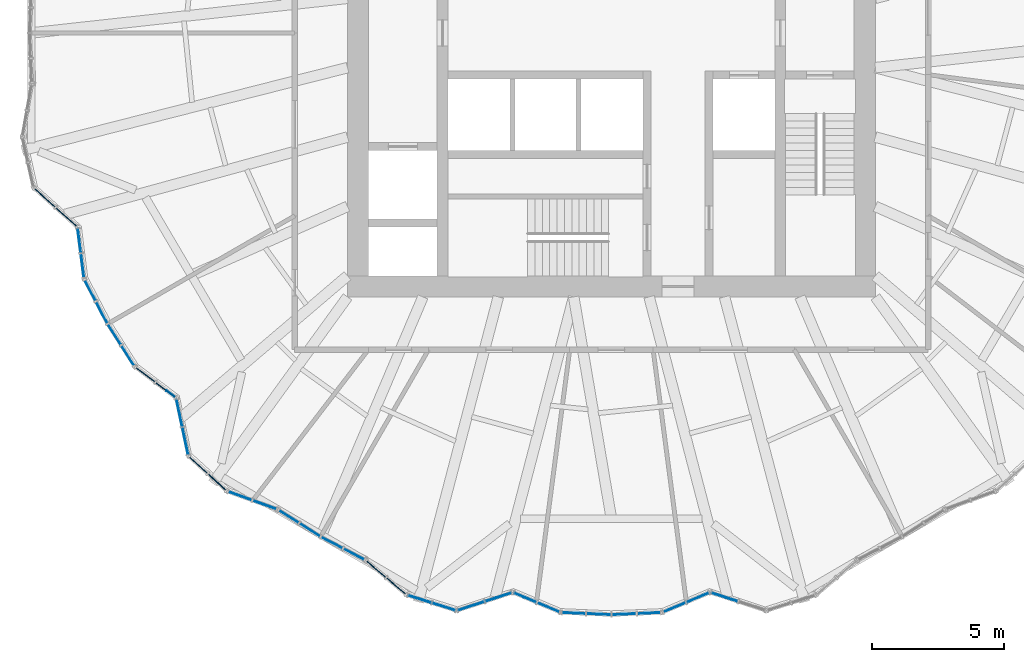
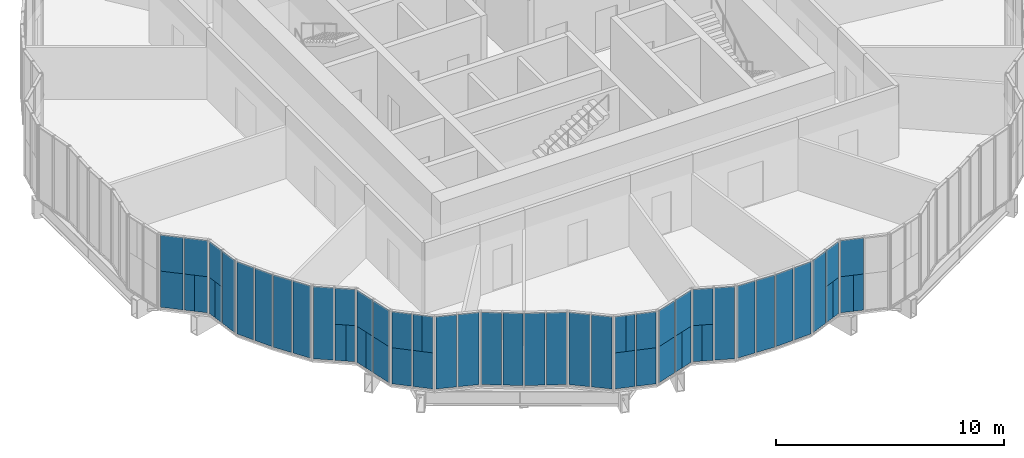
# One storey, part 13 of 23: 60 plates, 18 elements without a shape of their own.
"""IFC4 building model written with IfcOpenShell, lengths in metres."""

from ifc_helpers import new_model, si_unit, direction, frame, origin, origin_2d, place, context, subcontext, project, spatial, rectangle, extrude, material, layer, layer_set, type_object, element, aggregate, save


model = new_model("IFC4")

# Units and contexts
model_context = context("Model", 3, precision=1e-05, world=origin(), true_north=direction((0.0, 1.0)))
body_context = subcontext(model_context, "Body", "Model", "MODEL_VIEW")
ifc_project = project(units=[si_unit("LENGTHUNIT", "METRE"), si_unit("AREAUNIT", "SQUARE_METRE"), si_unit("VOLUMEUNIT", "CUBIC_METRE"), si_unit("PLANEANGLEUNIT", "RADIAN"), si_unit("MASSUNIT", "GRAM", prefix="KILO")], contexts=[model_context])

# Site, building, storey
site_placement = place(None, origin())
site = spatial("IfcSite", under=ifc_project, at=site_placement, CompositionType="ELEMENT")
building_placement = place(site_placement, origin())
building = spatial("IfcBuilding", under=site, at=building_placement, Name="Golbaran Civic Tower", CompositionType="ELEMENT")
storey_placement = place(building_placement, frame((0.0, 0.0, 33.0)))
storey = spatial("IfcBuildingStorey", under=building, at=storey_placement, Name="L07", CompositionType="ELEMENT", Elevation=33.0)

# Curtain wall, plates
ifc_material_1 = material(Name="Aluminium and glass", Category="aluminium")
curtain_wall_type = type_object("IfcCurtainWallType", Name="INNER SKIN CURTAIN WALL", PredefinedType="NOTDEFINED", material=ifc_material_1)
curtain_wall_1_placement = place(storey_placement, origin())
curtain_wall_1 = element("IfcCurtainWall", 1, at=curtain_wall_1_placement, inside=storey, type_object=curtain_wall_type, Name="Inner skin L07 facet 40 CW1", ObjectType="INNER SKIN", PredefinedType="USERDEFINED")
ifc_material_2 = material(Name="Clear insulating glass", Category="glass")
ifc_layer_1 = layer(ifc_material_2, 0.031982421875, Name="Clear insulating glass")
ifc_layer_set_1 = layer_set([ifc_layer_1], Name="Clear insulating glass")
plate_type_1 = type_object("IfcPlateType", Name="INNER SKIN CURTAIN WALL GLAZED PANEL", PredefinedType="CURTAIN_PANEL", material=ifc_layer_set_1)
plate_1_placement = place(storey_placement, frame((-20.491455078125, -7.12548828125, 0.06494140625), z_axis=(0.0, 0.0, 1.0), x_axis=(0.743783765174, -0.668420309882, 0.0)))
plate_1 = element("IfcPlate", 2, at=plate_1_placement, type_object=plate_type_1, Name="CW1 panel 2.1 part 2", PredefinedType="CURTAIN_PANEL", context=body_context, shape_type="SweptSolid", body=[
    extrude(rectangle(XDim=0.57861328125, YDim=0.031982421875, at=origin_2d()), origin(), (0.0, 0.0, 1.0), 1.93505859375),
])
plate_2_placement = place(storey_placement, frame((-20.65625, -6.977294921875, 2.0), z_axis=(0.0, 0.0, 1.0), x_axis=(0.743783765174, -0.668420309882, 0.0)))
plate_2 = element("IfcPlate", 3, at=plate_2_placement, type_object=plate_type_1, Name="CW1 panel 2.1 part 3", PredefinedType="CURTAIN_PANEL", context=body_context, shape_type="SweptSolid", body=[
    extrude(rectangle(XDim=1.021728515625, YDim=0.031982421875, at=origin_2d()), origin(), (0.0, 0.0, 1.0), 1.93505859375),
])

curtain_wall_2_placement = place(storey_placement, origin())
curtain_wall_2 = element("IfcCurtainWall", 4, at=curtain_wall_2_placement, inside=storey, type_object=curtain_wall_type, Name="Inner skin L07 facet 41 CW1", ObjectType="INNER SKIN", PredefinedType="USERDEFINED")
plate_3_placement = place(storey_placement, frame((-20.138427734375, -8.06591796875, 0.06494140625), z_axis=(0.0, 0.0, 1.0), x_axis=(0.126024428889, -0.992027138401, 0.0)))
plate_3 = element("IfcPlate", 5, at=plate_3_placement, type_object=plate_type_1, Name="CW1 panel 1.1 part 2", PredefinedType="CURTAIN_PANEL", context=body_context, shape_type="SweptSolid", body=[
    extrude(rectangle(XDim=0.486572265625, YDim=0.031982421875, at=origin_2d()), origin(), (0.0, 0.0, 1.0), 1.93505859375),
])
plate_4_placement = place(storey_placement, frame((-20.163818359375, -7.866943359375, 2.0), z_axis=(0.0, 0.0, 1.0), x_axis=(0.126024428889, -0.992027138401, 0.0)))
plate_4 = element("IfcPlate", 6, at=plate_4_placement, type_object=plate_type_1, Name="CW1 panel 1.1 part 3", PredefinedType="CURTAIN_PANEL", context=body_context, shape_type="SweptSolid", body=[
    extrude(rectangle(XDim=0.887451171875, YDim=0.031982421875, at=origin_2d()), origin(), (0.0, 0.0, 1.0), 1.93505859375),
])
plate_5_placement = place(storey_placement, frame((-20.043701171875, -8.81201171875, 0.06494140625), z_axis=(0.0, 0.0, 1.0), x_axis=(0.126024428889, -0.992027138401, 0.0)))
plate_5 = element("IfcPlate", 7, at=plate_5_placement, type_object=plate_type_1, Name="CW1 panel 2.1", PredefinedType="CURTAIN_PANEL", context=body_context, shape_type="SweptSolid", body=[
    extrude(rectangle(XDim=0.887451171875, YDim=0.031982421875, at=origin_2d()), origin(), (0.0, 0.0, 1.0), 3.8701171875),
])

curtain_wall_3_placement = place(storey_placement, origin())
curtain_wall_3 = element("IfcCurtainWall", 8, at=curtain_wall_3_placement, inside=storey, type_object=curtain_wall_type, Name="Inner skin L07 facet 42 CW1", ObjectType="INNER SKIN", PredefinedType="USERDEFINED")
plate_6_placement = place(storey_placement, frame((-19.75, -9.757568359375, 0.06494140625), z_axis=(0.0, 0.0, 1.0), x_axis=(0.461748613297, -0.887010833146, 0.0)))
plate_6 = element("IfcPlate", 9, at=plate_6_placement, type_object=plate_type_1, Name="CW1 panel 1.1", PredefinedType="CURTAIN_PANEL", context=body_context, shape_type="SweptSolid", body=[
    extrude(rectangle(XDim=0.864013671875, YDim=0.031982421875, at=origin_2d()), origin(), (0.0, 0.0, 1.0), 3.8701171875),
])
plate_7_placement = place(storey_placement, frame((-19.3134765625, -10.595947265625, 0.06494140625), z_axis=(0.0, 0.0, 1.0), x_axis=(0.461748613297, -0.887010833146, 0.0)))
plate_7 = element("IfcPlate", 10, at=plate_7_placement, type_object=plate_type_1, Name="CW1 panel 2.1", PredefinedType="CURTAIN_PANEL", context=body_context, shape_type="SweptSolid", body=[
    extrude(rectangle(XDim=0.896484375, YDim=0.031982421875, at=origin_2d()), origin(), (0.0, 0.0, 1.0), 3.8701171875),
])
aggregate(curtain_wall_3, [plate_6, plate_7])

curtain_wall_4_placement = place(storey_placement, origin())
curtain_wall_4 = element("IfcCurtainWall", 11, at=curtain_wall_4_placement, inside=storey, type_object=curtain_wall_type, Name="Inner skin L07 facet 43 CW1", ObjectType="INNER SKIN", PredefinedType="USERDEFINED")
plate_8_placement = place(storey_placement, frame((-18.833251953125, -11.427978515625, 0.06494140625), z_axis=(0.0, 0.0, 1.0), x_axis=(0.537299608406, -0.843391445775, 0.0)))
plate_8 = element("IfcPlate", 12, at=plate_8_placement, type_object=plate_type_1, Name="CW1 panel 1.1", PredefinedType="CURTAIN_PANEL", context=body_context, shape_type="SweptSolid", body=[
    extrude(rectangle(XDim=0.896484375, YDim=0.031982421875, at=origin_2d()), origin(), (0.0, 0.0, 1.0), 3.8701171875),
])
plate_9_placement = place(storey_placement, frame((-18.3251953125, -12.225341796875, 0.06494140625), z_axis=(0.0, 0.0, 1.0), x_axis=(0.537299608406, -0.843391445775, 0.0)))
plate_9 = element("IfcPlate", 13, at=plate_9_placement, type_object=plate_type_1, Name="CW1 panel 2.1", PredefinedType="CURTAIN_PANEL", context=body_context, shape_type="SweptSolid", body=[
    extrude(rectangle(XDim=0.864013671875, YDim=0.031982421875, at=origin_2d()), origin(), (0.0, 0.0, 1.0), 3.8701171875),
])
aggregate(curtain_wall_4, [plate_8, plate_9])

curtain_wall_5_placement = place(storey_placement, origin())
curtain_wall_5 = element("IfcCurtainWall", 14, at=curtain_wall_5_placement, inside=storey, type_object=curtain_wall_type, Name="Inner skin L07 facet 44 CW1", ObjectType="INNER SKIN", PredefinedType="USERDEFINED")
plate_10_placement = place(storey_placement, frame((-17.653076171875, -12.952392578125, 0.06494140625), z_axis=(0.0, 0.0, 1.0), x_axis=(0.796108488496, -0.605153926324, 0.0)))
plate_10 = element("IfcPlate", 15, at=plate_10_placement, type_object=plate_type_1, Name="CW1 panel 1.1", PredefinedType="CURTAIN_PANEL", context=body_context, shape_type="SweptSolid", body=[
    extrude(rectangle(XDim=0.887451171875, YDim=0.031982421875, at=origin_2d()), origin(), (0.0, 0.0, 1.0), 3.8701171875),
])
plate_11_placement = place(storey_placement, frame((-17.0546875, -13.4072265625, 0.06494140625), z_axis=(0.0, 0.0, 1.0), x_axis=(0.796108488496, -0.605153926324, 0.0)))
plate_11 = element("IfcPlate", 16, at=plate_11_placement, type_object=plate_type_1, Name="CW1 panel 2.1 part 1", PredefinedType="CURTAIN_PANEL", context=body_context, shape_type="SweptSolid", body=[
    extrude(rectangle(XDim=0.486083984375, YDim=0.031982421875, at=origin_2d()), origin(), (0.0, 0.0, 1.0), 1.93505859375),
])
plate_12_placement = place(storey_placement, frame((-16.894775390625, -13.52880859375, 2.0), z_axis=(0.0, 0.0, 1.0), x_axis=(0.796108488496, -0.605153926324, 0.0)))
plate_12 = element("IfcPlate", 17, at=plate_12_placement, type_object=plate_type_1, Name="CW1 panel 2.1 part 3", PredefinedType="CURTAIN_PANEL", context=body_context, shape_type="SweptSolid", body=[
    extrude(rectangle(XDim=0.887451171875, YDim=0.031982421875, at=origin_2d()), origin(), (0.0, 0.0, 1.0), 1.93505859375),
])

curtain_wall_6_placement = place(storey_placement, origin())
curtain_wall_6 = element("IfcCurtainWall", 18, at=curtain_wall_6_placement, inside=storey, type_object=curtain_wall_type, Name="Inner skin L07 facet 45 CW1", ObjectType="INNER SKIN", PredefinedType="USERDEFINED")
plate_13_placement = place(storey_placement, frame((-16.41650390625, -14.183349609375, 0.06494140625), z_axis=(0.0, 0.0, 1.0), x_axis=(0.206977086194, -0.978345790501, 0.0)))
plate_13 = element("IfcPlate", 19, at=plate_13_placement, type_object=plate_type_1, Name="CW1 panel 1.1 part 1", PredefinedType="CURTAIN_PANEL", context=body_context, shape_type="SweptSolid", body=[
    extrude(rectangle(XDim=0.5791015625, YDim=0.031982421875, at=origin_2d()), origin(), (0.0, 0.0, 1.0), 1.93505859375),
])
plate_14_placement = place(storey_placement, frame((-16.37060546875, -14.400146484375, 2.0), z_axis=(0.0, 0.0, 1.0), x_axis=(0.206977086194, -0.978345790501, 0.0)))
plate_14 = element("IfcPlate", 20, at=plate_14_placement, type_object=plate_type_1, Name="CW1 panel 1.1 part 3", PredefinedType="CURTAIN_PANEL", context=body_context, shape_type="SweptSolid", body=[
    extrude(rectangle(XDim=1.021728515625, YDim=0.031982421875, at=origin_2d()), origin(), (0.0, 0.0, 1.0), 1.93505859375),
])

# Curtain wall, plate
curtain_wall_7_placement = place(storey_placement, origin())
curtain_wall_7 = element("IfcCurtainWall", 21, at=curtain_wall_7_placement, inside=storey, type_object=curtain_wall_type, Name="Inner skin L07 facet 46 CW1", ObjectType="INNER SKIN", PredefinedType="USERDEFINED")
plate_15_placement = place(storey_placement, frame((-14.7978515625, -17.152587890625, 2.0), z_axis=(0.0, 0.0, 1.0), x_axis=(0.737277336975, -0.675590207436, 0.0)))
plate_15 = element("IfcPlate", 22, at=plate_15_placement, type_object=plate_type_1, Name="CW1 panel 2.1 part 3", PredefinedType="CURTAIN_PANEL", context=body_context, shape_type="SweptSolid", body=[
    extrude(rectangle(XDim=0.4912109375, YDim=0.031982421875, at=origin_2d()), origin(), (0.0, 0.0, 1.0), 1.93505859375),
])

# Curtain wall, plates
curtain_wall_8_placement = place(storey_placement, origin())
curtain_wall_8 = element("IfcCurtainWall", 23, at=curtain_wall_8_placement, inside=storey, type_object=curtain_wall_type, Name="Inner skin L07 facet 47 CW1", ObjectType="INNER SKIN", PredefinedType="USERDEFINED")
plate_16_placement = place(storey_placement, frame((-14.072509765625, -17.5419921875, 0.06494140625), z_axis=(0.0, 0.0, 1.0), x_axis=(0.940409013239, -0.340045420228, 0.0)))
plate_16 = element("IfcPlate", 24, at=plate_16_placement, type_object=plate_type_1, Name="CW1 panel 1.1", PredefinedType="CURTAIN_PANEL", context=body_context, shape_type="SweptSolid", body=[
    extrude(rectangle(XDim=0.925537109375, YDim=0.031982421875, at=origin_2d()), origin(), (0.0, 0.0, 1.0), 3.8701171875),
])
plate_17_placement = place(storey_placement, frame((-13.140869140625, -17.878662109375, 0.06494140625), z_axis=(0.0, 0.0, 1.0), x_axis=(0.940409013239, -0.340045420228, 0.0)))
plate_17 = element("IfcPlate", 25, at=plate_17_placement, type_object=plate_type_1, Name="CW1 panel 2.1", PredefinedType="CURTAIN_PANEL", context=body_context, shape_type="SweptSolid", body=[
    extrude(rectangle(XDim=0.925537109375, YDim=0.031982421875, at=origin_2d()), origin(), (0.0, 0.0, 1.0), 3.8701171875),
])
aggregate(curtain_wall_8, [plate_16, plate_17])

curtain_wall_9_placement = place(storey_placement, origin())
curtain_wall_9 = element("IfcCurtainWall", 26, at=curtain_wall_9_placement, inside=storey, type_object=curtain_wall_type, Name="Inner skin L07 facet 48 CW1", ObjectType="INNER SKIN", PredefinedType="USERDEFINED")
plate_18_placement = place(storey_placement, frame((-12.225341796875, -18.3251953125, 0.06494140625), z_axis=(0.0, 0.0, 1.0), x_axis=(0.843391445775, -0.537299608406, 0.0)))
plate_18 = element("IfcPlate", 27, at=plate_18_placement, type_object=plate_type_1, Name="CW1 panel 1.1", PredefinedType="CURTAIN_PANEL", context=body_context, shape_type="SweptSolid", body=[
    extrude(rectangle(XDim=0.864013671875, YDim=0.031982421875, at=origin_2d()), origin(), (0.0, 0.0, 1.0), 3.8701171875),
])
plate_19_placement = place(storey_placement, frame((-11.427978515625, -18.833251953125, 0.06494140625), z_axis=(0.0, 0.0, 1.0), x_axis=(0.843391445775, -0.537299608406, 0.0)))
plate_19 = element("IfcPlate", 28, at=plate_19_placement, type_object=plate_type_1, Name="CW1 panel 2.1", PredefinedType="CURTAIN_PANEL", context=body_context, shape_type="SweptSolid", body=[
    extrude(rectangle(XDim=0.896484375, YDim=0.031982421875, at=origin_2d()), origin(), (0.0, 0.0, 1.0), 3.8701171875),
])
aggregate(curtain_wall_9, [plate_18, plate_19])

curtain_wall_10_placement = place(storey_placement, origin())
curtain_wall_10 = element("IfcCurtainWall", 29, at=curtain_wall_10_placement, inside=storey, type_object=curtain_wall_type, Name="Inner skin L07 facet 49 CW1", ObjectType="INNER SKIN", PredefinedType="USERDEFINED")
plate_20_placement = place(storey_placement, frame((-10.595947265625, -19.3134765625, 0.06494140625), z_axis=(0.0, 0.0, 1.0), x_axis=(0.887010833146, -0.461748613297, 0.0)))
plate_20 = element("IfcPlate", 30, at=plate_20_placement, type_object=plate_type_1, Name="CW1 panel 1.1", PredefinedType="CURTAIN_PANEL", context=body_context, shape_type="SweptSolid", body=[
    extrude(rectangle(XDim=0.896484375, YDim=0.031982421875, at=origin_2d()), origin(), (0.0, 0.0, 1.0), 3.8701171875),
])
plate_21_placement = place(storey_placement, frame((-9.757568359375, -19.75, 0.06494140625), z_axis=(0.0, 0.0, 1.0), x_axis=(0.887010833146, -0.461748613297, 0.0)))
plate_21 = element("IfcPlate", 31, at=plate_21_placement, type_object=plate_type_1, Name="CW1 panel 2.1", PredefinedType="CURTAIN_PANEL", context=body_context, shape_type="SweptSolid", body=[
    extrude(rectangle(XDim=0.864013671875, YDim=0.031982421875, at=origin_2d()), origin(), (0.0, 0.0, 1.0), 3.8701171875),
])
aggregate(curtain_wall_10, [plate_20, plate_21])

curtain_wall_11_placement = place(storey_placement, origin())
curtain_wall_11 = element("IfcCurtainWall", 32, at=curtain_wall_11_placement, inside=storey, type_object=curtain_wall_type, Name="Inner skin L07 facet 50 CW1", ObjectType="INNER SKIN", PredefinedType="USERDEFINED")
plate_22_placement = place(storey_placement, frame((-8.9130859375, -20.319580078125, 0.06494140625), z_axis=(0.0, 0.0, 1.0), x_axis=(0.764692479135, -0.644395385113, 0.0)))
plate_22 = element("IfcPlate", 33, at=plate_22_placement, type_object=plate_type_1, Name="CW1 panel 1.1", PredefinedType="CURTAIN_PANEL", context=body_context, shape_type="SweptSolid", body=[
    extrude(rectangle(XDim=0.925537109375, YDim=0.031982421875, at=origin_2d()), origin(), (0.0, 0.0, 1.0), 3.8701171875),
])
plate_23_placement = place(storey_placement, frame((-8.155517578125, -20.9580078125, 0.06494140625), z_axis=(0.0, 0.0, 1.0), x_axis=(0.764692479135, -0.644395385113, 0.0)))
plate_23 = element("IfcPlate", 34, at=plate_23_placement, type_object=plate_type_1, Name="CW1 panel 2.1", PredefinedType="CURTAIN_PANEL", context=body_context, shape_type="SweptSolid", body=[
    extrude(rectangle(XDim=0.925537109375, YDim=0.031982421875, at=origin_2d()), origin(), (0.0, 0.0, 1.0), 3.8701171875),
])
aggregate(curtain_wall_11, [plate_22, plate_23])

# Curtain wall, plate
curtain_wall_12_placement = place(storey_placement, origin())
curtain_wall_12 = element("IfcCurtainWall", 35, at=curtain_wall_12_placement, inside=storey, type_object=curtain_wall_type, Name="Inner skin L07 facet 51 CW1", ObjectType="INNER SKIN", PredefinedType="USERDEFINED")
plate_24_placement = place(storey_placement, frame((-7.456298828125, -21.391357421875, 2.0), z_axis=(0.0, 0.0, 1.0), x_axis=(0.953716950701, -0.300705799654, 0.0)))
plate_24 = element("IfcPlate", 36, at=plate_24_placement, type_object=plate_type_1, Name="CW1 panel 1.1 part 2", PredefinedType="CURTAIN_PANEL", context=body_context, shape_type="SweptSolid", body=[
    extrude(rectangle(XDim=0.489990234375, YDim=0.031982421875, at=origin_2d()), origin(), (0.0, 0.0, 1.0), 1.93505859375),
])

# Curtain wall, plates
curtain_wall_13_placement = place(storey_placement, origin())
curtain_wall_13 = element("IfcCurtainWall", 37, at=curtain_wall_13_placement, inside=storey, type_object=curtain_wall_type, Name="Inner skin L07 facet 52 CW1", ObjectType="INNER SKIN", PredefinedType="USERDEFINED")
plate_25_placement = place(storey_placement, frame((-4.074951171875, -21.308837890625, 0.06494140625), z_axis=(0.0, 0.0, 1.0), x_axis=(0.950760851313, 0.309925480738, 0.0)))
plate_25 = element("IfcPlate", 38, at=plate_25_placement, type_object=plate_type_1, Name="CW1 panel 2.1 part 2", PredefinedType="CURTAIN_PANEL", context=body_context, shape_type="SweptSolid", body=[
    extrude(rectangle(XDim=0.57861328125, YDim=0.031982421875, at=origin_2d()), origin(), (0.0, 0.0, 1.0), 1.93505859375),
])
plate_26_placement = place(storey_placement, frame((-4.285400390625, -21.37744140625, 2.0), z_axis=(0.0, 0.0, 1.0), x_axis=(0.950760851313, 0.309925480738, 0.0)))
plate_26 = element("IfcPlate", 39, at=plate_26_placement, type_object=plate_type_1, Name="CW1 panel 2.1 part 3", PredefinedType="CURTAIN_PANEL", context=body_context, shape_type="SweptSolid", body=[
    extrude(rectangle(XDim=1.021728515625, YDim=0.031982421875, at=origin_2d()), origin(), (0.0, 0.0, 1.0), 1.93505859375),
])

curtain_wall_14_placement = place(storey_placement, origin())
curtain_wall_14 = element("IfcCurtainWall", 40, at=curtain_wall_14_placement, inside=storey, type_object=curtain_wall_type, Name="Inner skin L07 facet 53 CW1", ObjectType="INNER SKIN", PredefinedType="USERDEFINED")
plate_27_placement = place(storey_placement, frame((-3.083984375, -21.473388671875, 0.06494140625), z_axis=(0.0, 0.0, 1.0), x_axis=(0.922132917482, -0.38687321243, 0.0)))
plate_27 = element("IfcPlate", 41, at=plate_27_placement, type_object=plate_type_1, Name="CW1 panel 1.1 part 2", PredefinedType="CURTAIN_PANEL", context=body_context, shape_type="SweptSolid", body=[
    extrude(rectangle(XDim=0.486572265625, YDim=0.031982421875, at=origin_2d()), origin(), (0.0, 0.0, 1.0), 1.93505859375),
])
plate_28_placement = place(storey_placement, frame((-3.268798828125, -21.395751953125, 2.0), z_axis=(0.0, 0.0, 1.0), x_axis=(0.922132917482, -0.38687321243, 0.0)))
plate_28 = element("IfcPlate", 42, at=plate_28_placement, type_object=plate_type_1, Name="CW1 panel 1.1 part 3", PredefinedType="CURTAIN_PANEL", context=body_context, shape_type="SweptSolid", body=[
    extrude(rectangle(XDim=0.887451171875, YDim=0.031982421875, at=origin_2d()), origin(), (0.0, 0.0, 1.0), 1.93505859375),
])
plate_29_placement = place(storey_placement, frame((-2.390380859375, -21.764404296875, 0.06494140625), z_axis=(0.0, 0.0, 1.0), x_axis=(0.922132917482, -0.38687321243, 0.0)))
plate_29 = element("IfcPlate", 43, at=plate_29_placement, type_object=plate_type_1, Name="CW1 panel 2.1", PredefinedType="CURTAIN_PANEL", context=body_context, shape_type="SweptSolid", body=[
    extrude(rectangle(XDim=0.887451171875, YDim=0.031982421875, at=origin_2d()), origin(), (0.0, 0.0, 1.0), 3.8701171875),
])

curtain_wall_15_placement = place(storey_placement, origin())
curtain_wall_15 = element("IfcCurtainWall", 44, at=curtain_wall_15_placement, inside=storey, type_object=curtain_wall_type, Name="Inner skin L07 facet 54 CW1", ObjectType="INNER SKIN", PredefinedType="USERDEFINED")
plate_30_placement = place(storey_placement, frame((-1.4248046875, -21.98291015625, 0.06494140625), z_axis=(0.0, 0.0, 1.0), x_axis=(0.999048221572, -0.043619387592, 0.0)))
plate_30 = element("IfcPlate", 45, at=plate_30_placement, type_object=plate_type_1, Name="CW1 panel 1.1", PredefinedType="CURTAIN_PANEL", context=body_context, shape_type="SweptSolid", body=[
    extrude(rectangle(XDim=0.864013671875, YDim=0.031982421875, at=origin_2d()), origin(), (0.0, 0.0, 1.0), 3.8701171875),
])
plate_31_placement = place(storey_placement, frame((-0.480224609375, -22.02392578125, 0.06494140625), z_axis=(0.0, 0.0, 1.0), x_axis=(0.999048221572, -0.043619387592, 0.0)))
plate_31 = element("IfcPlate", 46, at=plate_31_placement, type_object=plate_type_1, Name="CW1 panel 2.1", PredefinedType="CURTAIN_PANEL", context=body_context, shape_type="SweptSolid", body=[
    extrude(rectangle(XDim=0.896484375, YDim=0.031982421875, at=origin_2d()), origin(), (0.0, 0.0, 1.0), 3.8701171875),
])
aggregate(curtain_wall_15, [plate_30, plate_31])

curtain_wall_16_placement = place(storey_placement, origin())
curtain_wall_16 = element("IfcCurtainWall", 47, at=curtain_wall_16_placement, inside=storey, type_object=curtain_wall_type, Name="Inner skin L07 facet 55 CW1", ObjectType="INNER SKIN", PredefinedType="USERDEFINED")
plate_32_placement = place(storey_placement, frame((0.480224609375, -22.02392578125, 0.06494140625), z_axis=(0.0, 0.0, 1.0), x_axis=(0.999048221572, 0.043619387592, 0.0)))
plate_32 = element("IfcPlate", 48, at=plate_32_placement, type_object=plate_type_1, Name="CW1 panel 1.1", PredefinedType="CURTAIN_PANEL", context=body_context, shape_type="SweptSolid", body=[
    extrude(rectangle(XDim=0.896484375, YDim=0.031982421875, at=origin_2d()), origin(), (0.0, 0.0, 1.0), 3.8701171875),
])
plate_33_placement = place(storey_placement, frame((1.4248046875, -21.98291015625, 0.06494140625), z_axis=(0.0, 0.0, 1.0), x_axis=(0.999048221572, 0.043619387592, 0.0)))
plate_33 = element("IfcPlate", 49, at=plate_33_placement, type_object=plate_type_1, Name="CW1 panel 2.1", PredefinedType="CURTAIN_PANEL", context=body_context, shape_type="SweptSolid", body=[
    extrude(rectangle(XDim=0.864013671875, YDim=0.031982421875, at=origin_2d()), origin(), (0.0, 0.0, 1.0), 3.8701171875),
])
aggregate(curtain_wall_16, [plate_32, plate_33])

curtain_wall_17_placement = place(storey_placement, origin())
curtain_wall_17 = element("IfcCurtainWall", 50, at=curtain_wall_17_placement, inside=storey, type_object=curtain_wall_type, Name="Inner skin L07 facet 56 CW1", ObjectType="INNER SKIN", PredefinedType="USERDEFINED")
plate_34_placement = place(storey_placement, frame((2.390380859375, -21.764404296875, 0.06494140625), z_axis=(0.0, 0.0, 1.0), x_axis=(0.922132917482, 0.38687321243, 0.0)))
plate_34 = element("IfcPlate", 51, at=plate_34_placement, type_object=plate_type_1, Name="CW1 panel 1.1", PredefinedType="CURTAIN_PANEL", context=body_context, shape_type="SweptSolid", body=[
    extrude(rectangle(XDim=0.887451171875, YDim=0.031982421875, at=origin_2d()), origin(), (0.0, 0.0, 1.0), 3.8701171875),
])
plate_35_placement = place(storey_placement, frame((3.083740234375, -21.473388671875, 0.06494140625), z_axis=(0.0, 0.0, 1.0), x_axis=(0.922132917482, 0.38687321243, 0.0)))
plate_35 = element("IfcPlate", 52, at=plate_35_placement, type_object=plate_type_1, Name="CW1 panel 2.1 part 1", PredefinedType="CURTAIN_PANEL", context=body_context, shape_type="SweptSolid", body=[
    extrude(rectangle(XDim=0.486083984375, YDim=0.031982421875, at=origin_2d()), origin(), (0.0, 0.0, 1.0), 1.93505859375),
])
plate_36_placement = place(storey_placement, frame((3.268798828125, -21.395751953125, 2.0), z_axis=(0.0, 0.0, 1.0), x_axis=(0.922132917482, 0.38687321243, 0.0)))
plate_36 = element("IfcPlate", 53, at=plate_36_placement, type_object=plate_type_1, Name="CW1 panel 2.1 part 3", PredefinedType="CURTAIN_PANEL", context=body_context, shape_type="SweptSolid", body=[
    extrude(rectangle(XDim=0.887451171875, YDim=0.031982421875, at=origin_2d()), origin(), (0.0, 0.0, 1.0), 1.93505859375),
])

curtain_wall_18_placement = place(storey_placement, origin())
curtain_wall_18 = element("IfcCurtainWall", 54, at=curtain_wall_18_placement, inside=storey, type_object=curtain_wall_type, Name="Inner skin L07 facet 57 CW1", ObjectType="INNER SKIN", PredefinedType="USERDEFINED")
plate_37_placement = place(storey_placement, frame((4.074951171875, -21.308837890625, 0.06494140625), z_axis=(0.0, 0.0, 1.0), x_axis=(0.950760851313, -0.309925480738, 0.0)))
plate_37 = element("IfcPlate", 55, at=plate_37_placement, type_object=plate_type_1, Name="CW1 panel 1.1 part 1", PredefinedType="CURTAIN_PANEL", context=body_context, shape_type="SweptSolid", body=[
    extrude(rectangle(XDim=0.5791015625, YDim=0.031982421875, at=origin_2d()), origin(), (0.0, 0.0, 1.0), 1.93505859375),
])
plate_38_placement = place(storey_placement, frame((4.285400390625, -21.37744140625, 2.0), z_axis=(0.0, 0.0, 1.0), x_axis=(0.950760851313, -0.309925480738, 0.0)))
plate_38 = element("IfcPlate", 56, at=plate_38_placement, type_object=plate_type_1, Name="CW1 panel 1.1 part 3", PredefinedType="CURTAIN_PANEL", context=body_context, shape_type="SweptSolid", body=[
    extrude(rectangle(XDim=1.021728515625, YDim=0.031982421875, at=origin_2d()), origin(), (0.0, 0.0, 1.0), 1.93505859375),
])

# Plate
ifc_material_3 = material(Name="Aluminium faced opaque infill panel", Category="aluminium")
ifc_layer_2 = layer(ifc_material_3, 0.031982421875, Name="Aluminium faced opaque infill panel")
ifc_layer_set_2 = layer_set([ifc_layer_2], Name="Aluminium faced opaque infill panel")
plate_type_2 = type_object("IfcPlateType", Name="INNER SKIN CURTAIN WALL OPAQUE INFILL PANEL", PredefinedType="CURTAIN_PANEL", material=ifc_layer_set_2)
plate_39_placement = place(storey_placement, frame((-21.46435546875, -6.2509765625, 0.06494140625), z_axis=(0.0, 0.0, 1.0), x_axis=(0.743783765174, -0.668420309882, 0.0)))
plate_39 = element("IfcPlate", 57, at=plate_39_placement, type_object=plate_type_2, Name="CW1 infill panel 1.1 part 1", PredefinedType="CURTAIN_PANEL", context=body_context, shape_type="SweptSolid", body=[
    extrude(rectangle(XDim=1.021728515625, YDim=0.031982421875, at=origin_2d()), origin(), (0.0, 0.0, 1.0), 1.93505859375),
])

plate_40_placement = place(storey_placement, frame((-21.46435546875, -6.2509765625, 2.0), z_axis=(0.0, 0.0, 1.0), x_axis=(0.743783765174, -0.668420309882, 0.0)))
plate_40 = element("IfcPlate", 58, at=plate_40_placement, type_object=plate_type_2, Name="CW1 infill panel 1.1 part 2", PredefinedType="CURTAIN_PANEL", context=body_context, shape_type="SweptSolid", body=[
    extrude(rectangle(XDim=1.021728515625, YDim=0.031982421875, at=origin_2d()), origin(), (0.0, 0.0, 1.0), 1.93505859375),
])

plate_41_placement = place(storey_placement, frame((-20.871337890625, -6.783935546875, 0.06494140625), z_axis=(0.0, 0.0, 1.0), x_axis=(0.743783765174, -0.668420309882, 0.0)))
plate_41 = element("IfcPlate", 59, at=plate_41_placement, type_object=plate_type_2, Name="CW1 infill panel 2.1 part 1", PredefinedType="CURTAIN_PANEL", context=body_context, shape_type="SweptSolid", body=[
    extrude(rectangle(XDim=0.443115234375, YDim=0.031982421875, at=origin_2d()), origin(), (0.0, 0.0, 1.0), 1.93505859375),
])

aggregate(curtain_wall_1, [plate_39, plate_40, plate_41, plate_1, plate_2])

plate_42_placement = place(storey_placement, frame((-20.1943359375, -7.625732421875, 0.06494140625), z_axis=(0.0, 0.0, 1.0), x_axis=(0.126024428889, -0.992027138401, 0.0)))
plate_42 = element("IfcPlate", 60, at=plate_42_placement, type_object=plate_type_2, Name="CW1 infill panel 1.1 part 1", PredefinedType="CURTAIN_PANEL", context=body_context, shape_type="SweptSolid", body=[
    extrude(rectangle(XDim=0.40087890625, YDim=0.031982421875, at=origin_2d()), origin(), (0.0, 0.0, 1.0), 1.93505859375),
])

aggregate(curtain_wall_2, [plate_42, plate_3, plate_4, plate_5])

plate_43_placement = place(storey_placement, frame((-16.701416015625, -13.67578125, 0.06494140625), z_axis=(0.0, 0.0, 1.0), x_axis=(0.796108488496, -0.605153926324, 0.0)))
plate_43 = element("IfcPlate", 61, at=plate_43_placement, type_object=plate_type_2, Name="CW1 infill panel 2.1 part 2", PredefinedType="CURTAIN_PANEL", context=body_context, shape_type="SweptSolid", body=[
    extrude(rectangle(XDim=0.401611328125, YDim=0.031982421875, at=origin_2d()), origin(), (0.0, 0.0, 1.0), 1.93505859375),
])

aggregate(curtain_wall_5, [plate_10, plate_11, plate_43, plate_12])

plate_44_placement = place(storey_placement, frame((-16.310791015625, -14.683349609375, 0.06494140625), z_axis=(0.0, 0.0, 1.0), x_axis=(0.206977086194, -0.978345790501, 0.0)))
plate_44 = element("IfcPlate", 62, at=plate_44_placement, type_object=plate_type_2, Name="CW1 infill panel 1.1 part 2", PredefinedType="CURTAIN_PANEL", context=body_context, shape_type="SweptSolid", body=[
    extrude(rectangle(XDim=0.442626953125, YDim=0.031982421875, at=origin_2d()), origin(), (0.0, 0.0, 1.0), 1.93505859375),
])

plate_45_placement = place(storey_placement, frame((-16.145751953125, -15.463134765625, 0.06494140625), z_axis=(0.0, 0.0, 1.0), x_axis=(0.206977086194, -0.978345790501, 0.0)))
plate_45 = element("IfcPlate", 63, at=plate_45_placement, type_object=plate_type_2, Name="CW1 infill panel 2.1 part 1", PredefinedType="CURTAIN_PANEL", context=body_context, shape_type="SweptSolid", body=[
    extrude(rectangle(XDim=1.021728515625, YDim=0.031982421875, at=origin_2d()), origin(), (0.0, 0.0, 1.0), 1.93505859375),
])

plate_46_placement = place(storey_placement, frame((-16.145751953125, -15.463134765625, 2.0), z_axis=(0.0, 0.0, 1.0), x_axis=(0.206977086194, -0.978345790501, 0.0)))
plate_46 = element("IfcPlate", 64, at=plate_46_placement, type_object=plate_type_2, Name="CW1 infill panel 2.1 part 2", PredefinedType="CURTAIN_PANEL", context=body_context, shape_type="SweptSolid", body=[
    extrude(rectangle(XDim=1.021728515625, YDim=0.031982421875, at=origin_2d()), origin(), (0.0, 0.0, 1.0), 1.93505859375),
])

aggregate(curtain_wall_6, [plate_13, plate_44, plate_14, plate_45, plate_46])

plate_47_placement = place(storey_placement, frame((-15.650146484375, -16.37158203125, 0.06494140625), z_axis=(0.0, 0.0, 1.0), x_axis=(0.737277336975, -0.675590207436, 0.0)))
plate_47 = element("IfcPlate", 65, at=plate_47_placement, type_object=plate_type_2, Name="CW1 infill panel 1.1 part 1", PredefinedType="CURTAIN_PANEL", context=body_context, shape_type="SweptSolid", body=[
    extrude(rectangle(XDim=0.89111328125, YDim=0.031982421875, at=origin_2d()), origin(), (0.0, 0.0, 1.0), 1.93505859375),
])

plate_48_placement = place(storey_placement, frame((-15.650146484375, -16.37158203125, 2.0), z_axis=(0.0, 0.0, 1.0), x_axis=(0.737277336975, -0.675590207436, 0.0)))
plate_48 = element("IfcPlate", 66, at=plate_48_placement, type_object=plate_type_2, Name="CW1 infill panel 1.1 part 2", PredefinedType="CURTAIN_PANEL", context=body_context, shape_type="SweptSolid", body=[
    extrude(rectangle(XDim=0.89111328125, YDim=0.031982421875, at=origin_2d()), origin(), (0.0, 0.0, 1.0), 1.93505859375),
])

plate_49_placement = place(storey_placement, frame((-14.9453125, -17.017578125, 0.06494140625), z_axis=(0.0, 0.0, 1.0), x_axis=(0.737277336975, -0.675590207436, 0.0)))
plate_49 = element("IfcPlate", 67, at=plate_49_placement, type_object=plate_type_2, Name="CW1 infill panel 2.1 part 1", PredefinedType="CURTAIN_PANEL", context=body_context, shape_type="SweptSolid", body=[
    extrude(rectangle(XDim=0.89111328125, YDim=0.031982421875, at=origin_2d()), origin(), (0.0, 0.0, 1.0), 1.93505859375),
])

plate_50_placement = place(storey_placement, frame((-15.126220703125, -16.8515625, 2.0), z_axis=(0.0, 0.0, 1.0), x_axis=(0.737277336975, -0.675590207436, 0.0)))
plate_50 = element("IfcPlate", 68, at=plate_50_placement, type_object=plate_type_2, Name="CW1 infill panel 2.1 part 2", PredefinedType="CURTAIN_PANEL", context=body_context, shape_type="SweptSolid", body=[
    extrude(rectangle(XDim=0.39990234375, YDim=0.031982421875, at=origin_2d()), origin(), (0.0, 0.0, 1.0), 1.93505859375),
])

aggregate(curtain_wall_7, [plate_47, plate_48, plate_49, plate_50, plate_15])

plate_51_placement = place(storey_placement, frame((-7.264892578125, -21.45166015625, 0.06494140625), z_axis=(0.0, 0.0, 1.0), x_axis=(0.953716950701, -0.300705799654, 0.0)))
plate_51 = element("IfcPlate", 69, at=plate_51_placement, type_object=plate_type_2, Name="CW1 infill panel 1.1 part 1", PredefinedType="CURTAIN_PANEL", context=body_context, shape_type="SweptSolid", body=[
    extrude(rectangle(XDim=0.89111328125, YDim=0.031982421875, at=origin_2d()), origin(), (0.0, 0.0, 1.0), 1.93505859375),
])

plate_52_placement = place(storey_placement, frame((-7.03125, -21.525390625, 2.0), z_axis=(0.0, 0.0, 1.0), x_axis=(0.953716950701, -0.300705799654, 0.0)))
plate_52 = element("IfcPlate", 70, at=plate_52_placement, type_object=plate_type_2, Name="CW1 infill panel 1.1 part 3", PredefinedType="CURTAIN_PANEL", context=body_context, shape_type="SweptSolid", body=[
    extrude(rectangle(XDim=0.401123046875, YDim=0.031982421875, at=origin_2d()), origin(), (0.0, 0.0, 1.0), 1.93505859375),
])

plate_53_placement = place(storey_placement, frame((-6.35302734375, -21.7392578125, 0.06494140625), z_axis=(0.0, 0.0, 1.0), x_axis=(0.953716950701, -0.300705799654, 0.0)))
plate_53 = element("IfcPlate", 71, at=plate_53_placement, type_object=plate_type_2, Name="CW1 infill panel 2.1 part 1", PredefinedType="CURTAIN_PANEL", context=body_context, shape_type="SweptSolid", body=[
    extrude(rectangle(XDim=0.89111328125, YDim=0.031982421875, at=origin_2d()), origin(), (0.0, 0.0, 1.0), 1.93505859375),
])

plate_54_placement = place(storey_placement, frame((-6.35302734375, -21.7392578125, 2.0), z_axis=(0.0, 0.0, 1.0), x_axis=(0.953716950701, -0.300705799654, 0.0)))
plate_54 = element("IfcPlate", 72, at=plate_54_placement, type_object=plate_type_2, Name="CW1 infill panel 2.1 part 2", PredefinedType="CURTAIN_PANEL", context=body_context, shape_type="SweptSolid", body=[
    extrude(rectangle(XDim=0.89111328125, YDim=0.031982421875, at=origin_2d()), origin(), (0.0, 0.0, 1.0), 1.93505859375),
])

aggregate(curtain_wall_12, [plate_51, plate_24, plate_52, plate_53, plate_54])

plate_55_placement = place(storey_placement, frame((-5.318603515625, -21.71435546875, 0.06494140625), z_axis=(0.0, 0.0, 1.0), x_axis=(0.950760851313, 0.309925480738, 0.0)))
plate_55 = element("IfcPlate", 73, at=plate_55_placement, type_object=plate_type_2, Name="CW1 infill panel 1.1 part 1", PredefinedType="CURTAIN_PANEL", context=body_context, shape_type="SweptSolid", body=[
    extrude(rectangle(XDim=1.021728515625, YDim=0.031982421875, at=origin_2d()), origin(), (0.0, 0.0, 1.0), 1.93505859375),
])

plate_56_placement = place(storey_placement, frame((-5.318603515625, -21.71435546875, 2.0), z_axis=(0.0, 0.0, 1.0), x_axis=(0.950760851313, 0.309925480738, 0.0)))
plate_56 = element("IfcPlate", 74, at=plate_56_placement, type_object=plate_type_2, Name="CW1 infill panel 1.1 part 2", PredefinedType="CURTAIN_PANEL", context=body_context, shape_type="SweptSolid", body=[
    extrude(rectangle(XDim=1.021728515625, YDim=0.031982421875, at=origin_2d()), origin(), (0.0, 0.0, 1.0), 1.93505859375),
])

plate_57_placement = place(storey_placement, frame((-4.560546875, -21.467041015625, 0.06494140625), z_axis=(0.0, 0.0, 1.0), x_axis=(0.950760851313, 0.309925480738, 0.0)))
plate_57 = element("IfcPlate", 75, at=plate_57_placement, type_object=plate_type_2, Name="CW1 infill panel 2.1 part 1", PredefinedType="CURTAIN_PANEL", context=body_context, shape_type="SweptSolid", body=[
    extrude(rectangle(XDim=0.443115234375, YDim=0.031982421875, at=origin_2d()), origin(), (0.0, 0.0, 1.0), 1.93505859375),
])

aggregate(curtain_wall_13, [plate_55, plate_56, plate_57, plate_25, plate_26])

plate_58_placement = place(storey_placement, frame((-3.4931640625, -21.3017578125, 0.06494140625), z_axis=(0.0, 0.0, 1.0), x_axis=(0.922132917482, -0.38687321243, 0.0)))
plate_58 = element("IfcPlate", 76, at=plate_58_placement, type_object=plate_type_2, Name="CW1 infill panel 1.1 part 1", PredefinedType="CURTAIN_PANEL", context=body_context, shape_type="SweptSolid", body=[
    extrude(rectangle(XDim=0.40087890625, YDim=0.031982421875, at=origin_2d()), origin(), (0.0, 0.0, 1.0), 1.93505859375),
])

aggregate(curtain_wall_14, [plate_58, plate_27, plate_28, plate_29])

plate_59_placement = place(storey_placement, frame((3.492919921875, -21.3017578125, 0.06494140625), z_axis=(0.0, 0.0, 1.0), x_axis=(0.922132917482, 0.38687321243, 0.0)))
plate_59 = element("IfcPlate", 77, at=plate_59_placement, type_object=plate_type_2, Name="CW1 infill panel 2.1 part 2", PredefinedType="CURTAIN_PANEL", context=body_context, shape_type="SweptSolid", body=[
    extrude(rectangle(XDim=0.401611328125, YDim=0.031982421875, at=origin_2d()), origin(), (0.0, 0.0, 1.0), 1.93505859375),
])

aggregate(curtain_wall_17, [plate_34, plate_35, plate_59, plate_36])

plate_60_placement = place(storey_placement, frame((4.560791015625, -21.46728515625, 0.06494140625), z_axis=(0.0, 0.0, 1.0), x_axis=(0.950760851313, -0.309925480738, 0.0)))
plate_60 = element("IfcPlate", 78, at=plate_60_placement, type_object=plate_type_2, Name="CW1 infill panel 1.1 part 2", PredefinedType="CURTAIN_PANEL", context=body_context, shape_type="SweptSolid", body=[
    extrude(rectangle(XDim=0.442626953125, YDim=0.031982421875, at=origin_2d()), origin(), (0.0, 0.0, 1.0), 1.93505859375),
])

aggregate(curtain_wall_18, [plate_37, plate_60, plate_38])

save(model, "model.ifc")
